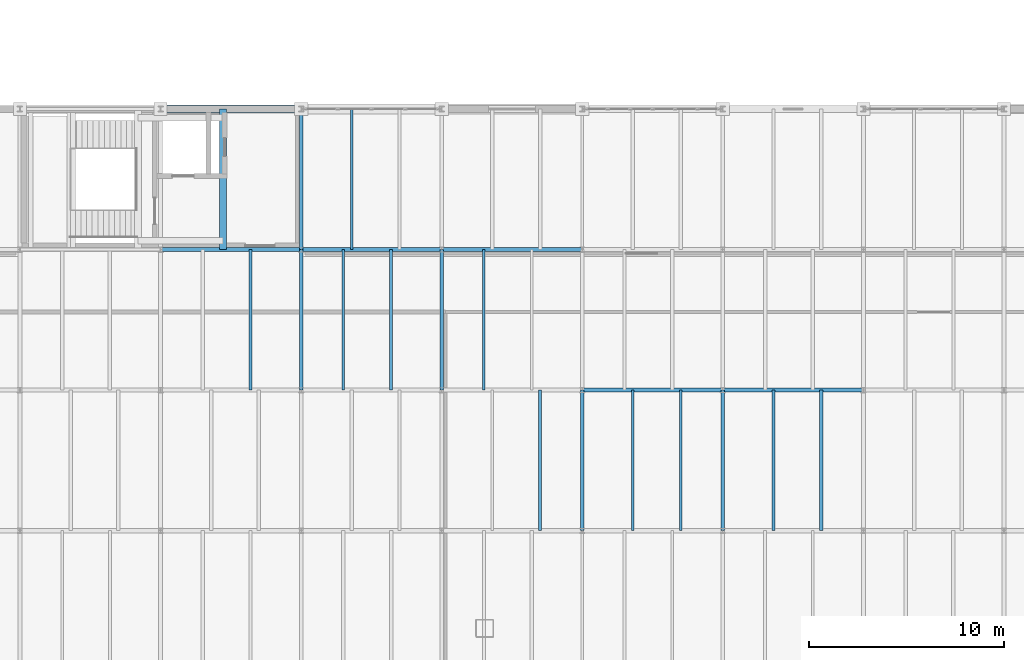
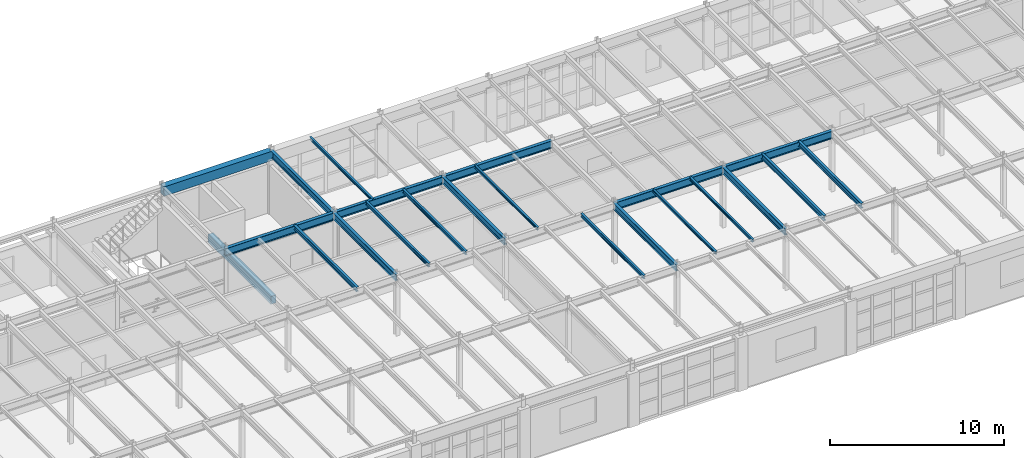
# One storey, part 51 of 137: 22 beams.
"""IFC4 building model written with IfcOpenShell, lengths in metres."""

from ifc_helpers import new_model, si_unit, direction, frame, origin, origin_2d, place, context, subcontext, project, spatial, rectangle, i_section, extrude, material, material_profile, profile_set, type_object, element, save


model = new_model("IFC4")

# Units and contexts
model_context = context("Model", 3, precision=1e-05, world=origin(), true_north=direction((0.0, 1.0)))
body_context = subcontext(model_context, "Body", "Model", "MODEL_VIEW")
ifc_project = project(units=[si_unit("LENGTHUNIT", "METRE"), si_unit("AREAUNIT", "SQUARE_METRE"), si_unit("VOLUMEUNIT", "CUBIC_METRE"), si_unit("PLANEANGLEUNIT", "RADIAN"), si_unit("MASSUNIT", "GRAM", prefix="KILO")], contexts=[model_context])

# Site, building, storey
site_placement = place(None, origin())
site = spatial("IfcSite", under=ifc_project, at=site_placement, CompositionType="ELEMENT")
building_placement = place(site_placement, origin())
building = spatial("IfcBuilding", under=site, at=building_placement, Name="Kemerveld Promenade Tramway Depot", CompositionType="ELEMENT")
storey_placement = place(building_placement, frame((0.0, 0.0, 5.39990234375)))
storey = spatial("IfcBuildingStorey", under=building, at=storey_placement, Name="L01", CompositionType="ELEMENT", Elevation=5.39990234375)

# Beams
ifc_material_1 = material(Name="Steel S355", Category="steel")
ifc_material_profile_1 = material_profile(ifc_material_1, i_section(OverallWidth=0.2099609375, OverallDepth=0.53662109375, WebThickness=0.0107421875, FlangeThickness=0.017333984375, FilletRadius=0.0126953125, at=origin_2d()), Name="533x210x101 UB")
ifc_profile_set_1 = profile_set([ifc_material_profile_1], Name="Steel S355")
beam_type_1 = type_object("IfcBeamType", Name="BM-G05", PredefinedType="BEAM", material=ifc_profile_set_1)
beam_1_placement = place(storey_placement, frame((115.199951171875, 14.39990234375, 3.981689453125), z_axis=(1.0, 0.0, 0.0), x_axis=(0.0, 1.0, 0.0)))
element("IfcBeam", 1, at=beam_1_placement, inside=storey, type_object=beam_type_1, Name="BMX-L01-17-18-C", PredefinedType="BEAM", context=body_context, shape_type="SweptSolid", body=[
    extrude(i_section(OverallWidth=0.2099609375, OverallDepth=0.53662109375, WebThickness=0.0107421875, FlangeThickness=0.017333984375, FilletRadius=0.0126953125, at=origin_2d()), origin(), (0.0, 0.0, 1.0), 7.199951171875),
])
beam_2_placement = place(storey_placement, frame((122.39990234375, 14.39990234375, 3.981689453125), z_axis=(1.0, 0.0, 0.0), x_axis=(0.0, 1.0, 0.0)))
element("IfcBeam", 2, at=beam_2_placement, inside=storey, type_object=beam_type_1, Name="BMX-L01-18-19-C", PredefinedType="BEAM", context=body_context, shape_type="SweptSolid", body=[
    extrude(i_section(OverallWidth=0.2099609375, OverallDepth=0.53662109375, WebThickness=0.0107421875, FlangeThickness=0.017333984375, FilletRadius=0.0126953125, at=origin_2d()), origin(), (0.0, 0.0, 1.0), 7.2001953125),
])
for number, where, z_axis, x_axis, name in (
    (3, (93.60009765625, 21.60009765625, 3.981689453125), (1.0, 0.0, 0.0), (0.0, 1.0, 0.0), "BMX-L01-14-15-D"),
    (4, (100.800048828125, 21.60009765625, 3.981689453125), (1.0, 0.0, 0.0), (0.0, 1.0, 0.0), "BMX-L01-15-16-D"),
    (5, (108.0, 21.60009765625, 3.981689453125), (1.0, 0.0, 0.0), (0.0, 1.0, 0.0), "BMX-L01-16-17-D"),
):
    element("IfcBeam", number, at=place(storey_placement, frame(where, z_axis=z_axis, x_axis=x_axis)), inside=storey, type_object=beam_type_1, Name=name, PredefinedType="BEAM", context=body_context, shape_type="SweptSolid", body=[
        extrude(i_section(OverallWidth=0.2099609375, OverallDepth=0.53662109375, WebThickness=0.0107421875, FlangeThickness=0.017333984375, FilletRadius=0.0126953125, at=origin_2d()), origin(), (0.0, 0.0, 1.0), 7.199951171875),
    ])
ifc_material_profile_2 = material_profile(ifc_material_1, i_section(OverallWidth=0.19140625, OverallDepth=0.4599609375, WebThickness=0.010009765625, FlangeThickness=0.01611328125, FilletRadius=0.01025390625, at=origin_2d()), Name="457x191x82 UB")
ifc_profile_set_2 = profile_set([ifc_material_profile_2], Name="Steel S355")
beam_type_2 = type_object("IfcBeamType", Name="BM-G06", PredefinedType="BEAM", material=ifc_profile_set_2)
beam_3_placement = place(storey_placement, frame((100.800048828125, 14.39990234375, 4.02001953125), z_axis=(0.0, 1.0, 0.0), x_axis=(-1.0, 0.0, 0.0)))
element("IfcBeam", 6, at=beam_3_placement, inside=storey, type_object=beam_type_2, Name="BMY-L01-15-C-D", PredefinedType="BEAM", context=body_context, shape_type="SweptSolid", body=[
    extrude(i_section(OverallWidth=0.19140625, OverallDepth=0.4599609375, WebThickness=0.010009765625, FlangeThickness=0.01611328125, FilletRadius=0.01025390625, at=origin_2d()), origin(), (0.0, 0.0, 1.0), 7.2001953125),
])
beam_4_placement = place(storey_placement, frame((100.800048828125, 21.60009765625, 4.02001953125), z_axis=(0.0, 1.0, 0.0), x_axis=(-1.0, 0.0, 0.0)))
element("IfcBeam", 7, at=beam_4_placement, inside=storey, type_object=beam_type_2, Name="BMY-L01-15-D-E", PredefinedType="BEAM", context=body_context, shape_type="SweptSolid", body=[
    extrude(i_section(OverallWidth=0.19140625, OverallDepth=0.4599609375, WebThickness=0.010009765625, FlangeThickness=0.01611328125, FilletRadius=0.01025390625, at=origin_2d()), origin(), (0.0, 0.0, 1.0), 7.199951171875),
])
beam_5_placement = place(storey_placement, frame((108.0, 14.39990234375, 4.02001953125), z_axis=(0.0, 1.0, 0.0), x_axis=(-1.0, 0.0, 0.0)))
element("IfcBeam", 8, at=beam_5_placement, inside=storey, type_object=beam_type_2, Name="BMY-L01-16-C-D", PredefinedType="BEAM", context=body_context, shape_type="SweptSolid", body=[
    extrude(i_section(OverallWidth=0.19140625, OverallDepth=0.4599609375, WebThickness=0.010009765625, FlangeThickness=0.01611328125, FilletRadius=0.01025390625, at=origin_2d()), origin(), (0.0, 0.0, 1.0), 7.2001953125),
])
for number, where, z_axis, x_axis, name in (
    (9, (115.199951171875, 7.199951171875, 4.02001953125), (0.0, 1.0, 0.0), (-1.0, 0.0, 0.0), "BMY-L01-17-B-C"),
    (10, (122.39990234375, 7.199951171875, 4.02001953125), (0.0, 1.0, 0.0), (-1.0, 0.0, 0.0), "BMY-L01-18-B-C"),
):
    element("IfcBeam", number, at=place(storey_placement, frame(where, z_axis=z_axis, x_axis=x_axis)), inside=storey, type_object=beam_type_2, Name=name, PredefinedType="BEAM", context=body_context, shape_type="SweptSolid", body=[
        extrude(i_section(OverallWidth=0.19140625, OverallDepth=0.4599609375, WebThickness=0.010009765625, FlangeThickness=0.01611328125, FilletRadius=0.01025390625, at=origin_2d()), origin(), (0.0, 0.0, 1.0), 7.199951171875),
    ])
ifc_material_profile_3 = material_profile(ifc_material_1, i_section(OverallWidth=0.165771484375, OverallDepth=0.306640625, WebThickness=0.006591796875, FlangeThickness=0.01171875, FilletRadius=0.0087890625, at=origin_2d()), Name="305x165x46 UB")
ifc_profile_set_3 = profile_set([ifc_material_profile_3], Name="Steel S355")
beam_type_3 = type_object("IfcBeamType", Name="BM-J01", PredefinedType="JOIST", material=ifc_profile_set_3)
beam_6_placement = place(storey_placement, frame((98.2080078125, 14.39990234375, 4.0966796875), z_axis=(0.0, 1.0, 0.0), x_axis=(-1.0, 0.0, 0.0)))
element("IfcBeam", 11, at=beam_6_placement, inside=storey, type_object=beam_type_3, Name="JST-L01-14-C-2", PredefinedType="JOIST", context=body_context, shape_type="SweptSolid", body=[
    extrude(i_section(OverallWidth=0.165771484375, OverallDepth=0.306640625, WebThickness=0.006591796875, FlangeThickness=0.01171875, FilletRadius=0.0087890625, at=origin_2d()), origin(), (0.0, 0.0, 1.0), 7.2001953125),
])
ifc_material_profile_4 = material_profile(ifc_material_1, i_section(OverallWidth=0.146484375, OverallDepth=0.256103515625, WebThickness=0.00634765625, FlangeThickness=0.010986328125, FilletRadius=0.007568359375, at=origin_2d()), Name="254x146x37 UB")
ifc_profile_set_4 = profile_set([ifc_material_profile_4], Name="Steel S355")
beam_type_4 = type_object("IfcBeamType", Name="BM-J02", PredefinedType="JOIST", material=ifc_profile_set_4)
for number, where, z_axis, x_axis, name in (
    (12, (102.9599609375, 14.39990234375, 4.1220703125), (0.0, 1.0, 0.0), (-1.0, 0.0, 0.0), "JST-L01-15-C-1"),
    (13, (105.407958984375, 14.39990234375, 4.1220703125), (0.0, 1.0, 0.0), (-1.0, 0.0, 0.0), "JST-L01-15-C-2"),
):
    element("IfcBeam", number, at=place(storey_placement, frame(where, z_axis=z_axis, x_axis=x_axis)), inside=storey, type_object=beam_type_4, Name=name, PredefinedType="JOIST", context=body_context, shape_type="SweptSolid", body=[
        extrude(i_section(OverallWidth=0.146484375, OverallDepth=0.256103515625, WebThickness=0.00634765625, FlangeThickness=0.010986328125, FilletRadius=0.007568359375, at=origin_2d()), origin(), (0.0, 0.0, 1.0), 7.2001953125),
    ])
beam_7_placement = place(storey_placement, frame((113.0400390625, 7.199951171875, 4.1220703125), z_axis=(0.0, 1.0, 0.0), x_axis=(-1.0, 0.0, 0.0)))
element("IfcBeam", 14, at=beam_7_placement, inside=storey, type_object=beam_type_4, Name="JST-L01-16-B-2", PredefinedType="JOIST", context=body_context, shape_type="SweptSolid", body=[
    extrude(i_section(OverallWidth=0.146484375, OverallDepth=0.256103515625, WebThickness=0.00634765625, FlangeThickness=0.010986328125, FilletRadius=0.007568359375, at=origin_2d()), origin(), (0.0, 0.0, 1.0), 7.199951171875),
])
ifc_material_profile_5 = material_profile(ifc_material_1, i_section(OverallWidth=0.13330078125, OverallDepth=0.203125, WebThickness=0.005615234375, FlangeThickness=0.0078125, FilletRadius=0.007568359375, at=origin_2d()), Name="203x133x25 UB")
ifc_profile_set_5 = profile_set([ifc_material_profile_5], Name="Steel S355")
beam_type_5 = type_object("IfcBeamType", Name="BM-J03", PredefinedType="JOIST", material=ifc_profile_set_5)
beam_8_placement = place(storey_placement, frame((103.39208984375, 21.60009765625, 4.1484375), z_axis=(0.0, 1.0, 0.0), x_axis=(-1.0, 0.0, 0.0)))
element("IfcBeam", 15, at=beam_8_placement, inside=storey, type_object=beam_type_5, Name="JST-L01-15-D-1", PredefinedType="JOIST", context=body_context, shape_type="SweptSolid", body=[
    extrude(i_section(OverallWidth=0.13330078125, OverallDepth=0.203125, WebThickness=0.005615234375, FlangeThickness=0.0078125, FilletRadius=0.007568359375, at=origin_2d()), origin(), (0.0, 0.0, 1.0), 7.199951171875),
])
beam_9_placement = place(storey_placement, frame((110.159912109375, 14.39990234375, 4.1484375), z_axis=(0.0, 1.0, 0.0), x_axis=(-1.0, 0.0, 0.0)))
element("IfcBeam", 16, at=beam_9_placement, inside=storey, type_object=beam_type_5, Name="JST-L01-16-C-1", PredefinedType="JOIST", context=body_context, shape_type="SweptSolid", body=[
    extrude(i_section(OverallWidth=0.13330078125, OverallDepth=0.203125, WebThickness=0.005615234375, FlangeThickness=0.0078125, FilletRadius=0.007568359375, at=origin_2d()), origin(), (0.0, 0.0, 1.0), 7.2001953125),
])
for number, where, z_axis, x_axis, name in (
    (17, (117.7919921875, 7.199951171875, 4.1484375), (0.0, 1.0, 0.0), (-1.0, 0.0, 0.0), "JST-L01-17-B-1"),
    (18, (120.239990234375, 7.199951171875, 4.1484375), (0.0, 1.0, 0.0), (-1.0, 0.0, 0.0), "JST-L01-17-B-2"),
):
    element("IfcBeam", number, at=place(storey_placement, frame(where, z_axis=z_axis, x_axis=x_axis)), inside=storey, type_object=beam_type_5, Name=name, PredefinedType="JOIST", context=body_context, shape_type="SweptSolid", body=[
        extrude(i_section(OverallWidth=0.13330078125, OverallDepth=0.203125, WebThickness=0.005615234375, FlangeThickness=0.0078125, FilletRadius=0.007568359375, at=origin_2d()), origin(), (0.0, 0.0, 1.0), 7.199951171875),
    ])
ifc_material_profile_6 = material_profile(ifc_material_1, i_section(OverallWidth=0.172119140625, OverallDepth=0.35791015625, WebThickness=0.008056640625, FlangeThickness=0.012939453125, FilletRadius=0.01025390625, at=origin_2d()), Name="356x171x57 UB")
ifc_profile_set_6 = profile_set([ifc_material_profile_6], Name="Steel S355")
beam_type_6 = type_object("IfcBeamType", Name="BM-J04", PredefinedType="JOIST", material=ifc_profile_set_6)
for number, where, z_axis, x_axis, name in (
    (19, (124.991943359375, 7.199951171875, 4.071044921875), (0.0, 1.0, 0.0), (-1.0, 0.0, 0.0), "JST-L01-18-B-1"),
    (20, (127.43994140625, 7.199951171875, 4.071044921875), (0.0, 1.0, 0.0), (-1.0, 0.0, 0.0), "JST-L01-18-B-2"),
):
    element("IfcBeam", number, at=place(storey_placement, frame(where, z_axis=z_axis, x_axis=x_axis)), inside=storey, type_object=beam_type_6, Name=name, PredefinedType="JOIST", context=body_context, shape_type="SweptSolid", body=[
        extrude(i_section(OverallWidth=0.172119140625, OverallDepth=0.35791015625, WebThickness=0.008056640625, FlangeThickness=0.012939453125, FilletRadius=0.01025390625, at=origin_2d()), origin(), (0.0, 0.0, 1.0), 7.199951171875),
    ])
ifc_material_2 = material(Name="Concrete C40/50", Category="concrete")
ifc_material_profile_7 = material_profile(ifc_material_2, rectangle(XDim=0.39990234375, YDim=0.64990234375, at=origin_2d()), Name="RC-BM-400x650")
ifc_profile_set_7 = profile_set([ifc_material_profile_7], Name="Concrete C40/50")
beam_type_7 = type_object("IfcBeamType", Name="BM-RC1", PredefinedType="BEAM", material=ifc_profile_set_7)
beam_10_placement = place(storey_placement, frame((93.60009765625, 28.800048828125, 3.925048828125), z_axis=(1.0, 0.0, 0.0), x_axis=(0.0, 1.0, 0.0)))
element("IfcBeam", 21, at=beam_10_placement, inside=storey, type_object=beam_type_7, Name="BMX-L01-14-15-E", PredefinedType="BEAM", context=body_context, shape_type="SweptSolid", body=[
    extrude(rectangle(XDim=0.39990234375, YDim=0.64990234375, at=origin_2d()), origin(), (0.0, 0.0, 1.0), 7.199951171875),
])
ifc_material_profile_8 = material_profile(ifc_material_2, rectangle(XDim=0.35009765625, YDim=0.550048828125, at=origin_2d()), Name="RC-BM-350x550")
ifc_profile_set_8 = profile_set([ifc_material_profile_8], Name="Concrete C40/50")
beam_type_8 = type_object("IfcBeamType", Name="BM-RC3", PredefinedType="BEAM", material=ifc_profile_set_8)
beam_11_placement = place(storey_placement, frame((96.800048828125, 21.60009765625, -0.5048828125), z_axis=(0.0, 1.0, 0.0), x_axis=(-1.0, 0.0, 0.0)))
element("IfcBeam", 22, at=beam_11_placement, inside=storey, type_object=beam_type_8, Name="BM-CORE-C4-L01-E", PredefinedType="BEAM", context=body_context, shape_type="SweptSolid", body=[
    extrude(rectangle(XDim=0.35009765625, YDim=0.550048828125, at=origin_2d()), origin(), (0.0, 0.0, 1.0), 7.199951171875),
])

save(model, "model.ifc")
